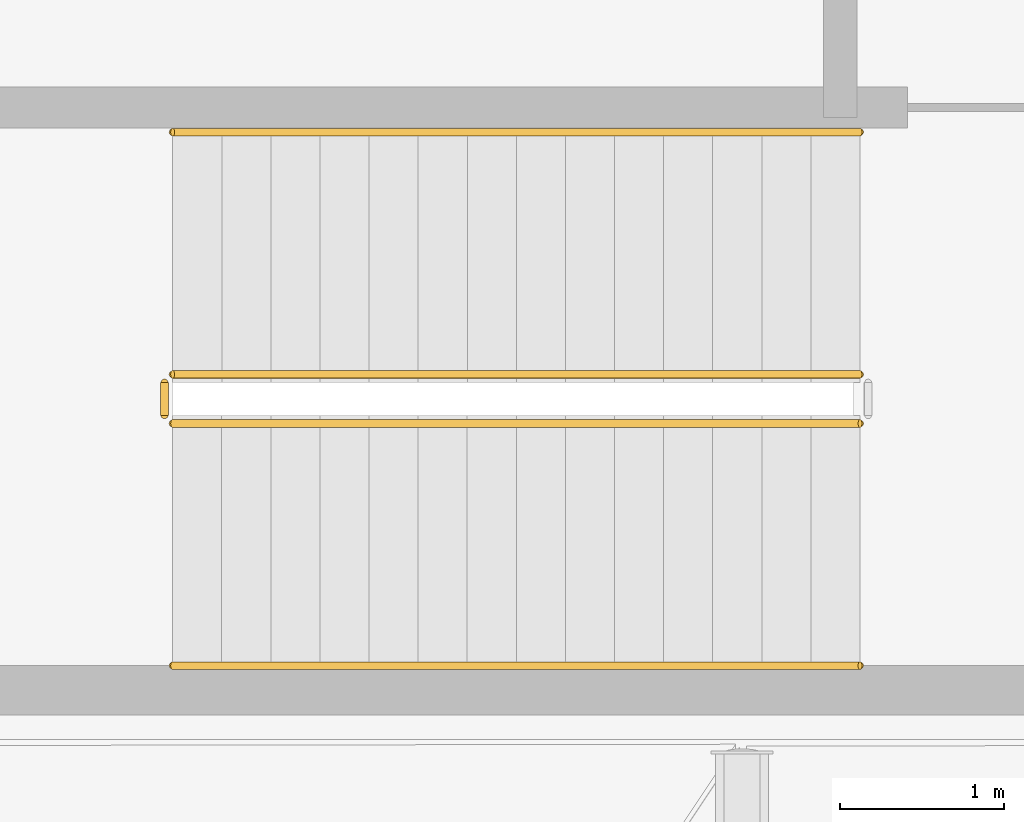
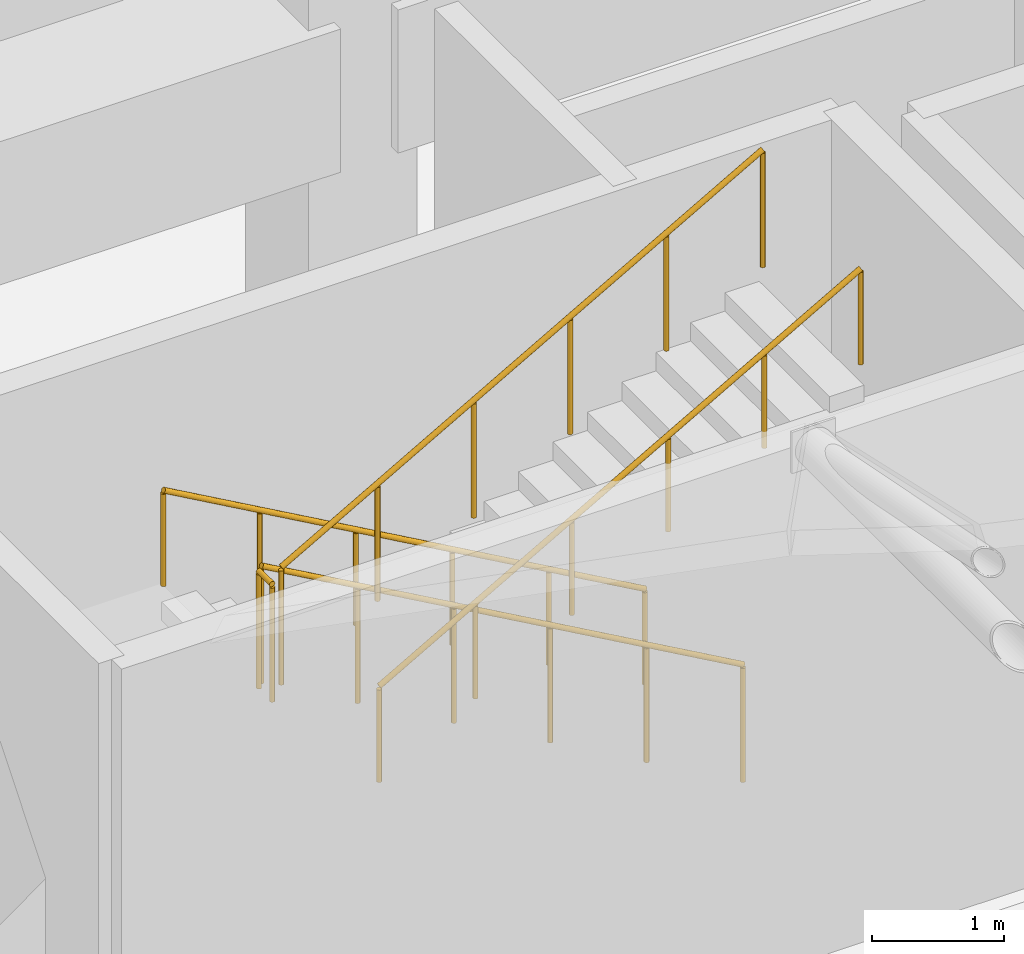
# One storey, part 108 of 117: 5 railings.
"""IFC4 building model written with IfcOpenShell, lengths in metres."""

from ifc_helpers import new_model, si_unit, direction, frame, origin, origin_2d, place, context, subcontext, project, spatial, circle, extrude, material, layer, layer_set, type_object, element, save


model = new_model("IFC4")

# Units and contexts
model_context = context("Model", 3, precision=1e-05, world=origin(), true_north=direction((0.0, 1.0)))
body_context = subcontext(model_context, "Body", "Model", "MODEL_VIEW")
ifc_project = project(units=[si_unit("LENGTHUNIT", "METRE"), si_unit("AREAUNIT", "SQUARE_METRE"), si_unit("VOLUMEUNIT", "CUBIC_METRE"), si_unit("PLANEANGLEUNIT", "RADIAN"), si_unit("MASSUNIT", "GRAM", prefix="KILO")], contexts=[model_context])

# Site, building, storey
site_placement = place(None, origin())
site = spatial("IfcSite", under=ifc_project, at=site_placement, CompositionType="ELEMENT")
building_placement = place(site_placement, origin())
building = spatial("IfcBuilding", under=site, at=building_placement, Name="Carrowvane Square Congress Hotel", CompositionType="ELEMENT")
storey_placement = place(building_placement, frame((0.0, 0.0, 5.39990234375)))
storey = spatial("IfcBuildingStorey", under=building, at=storey_placement, Name="L01", CompositionType="ELEMENT", Elevation=5.39990234375)

# Railings
ifc_material_1 = material(Name="Stainless steel 316", Category="steel")
ifc_layer_1 = layer(ifc_material_1, 0.048095703125)
ifc_layer_set_1 = layer_set([ifc_layer_1], Name="Stainless steel 316")
railing_type_1 = type_object("IfcRailingType", Name="RLG-HR-900", PredefinedType="HANDRAIL", material=ifc_layer_set_1)
railing_1_placement = place(storey_placement, frame((77.1201171875, 95.510009765625, 0.170166015625)))
element("IfcRailing", 1, at=railing_1_placement, inside=storey, type_object=railing_type_1, Name="L01 ST2 stair handrail 1", PredefinedType="HANDRAIL", context=body_context, shape_type="SweptSolid", body=[
    extrude(circle(Radius=0.02392578125, at=origin_2d()), frame((0.0, 0.0, 0.8759765625), z_axis=(-0.870042430969, 0.0, 0.492976843588), x_axis=(0.0, -1.0, 0.0)), (0.0, 0.0, 1.0), 4.82763671875),
    extrude(circle(Radius=0.02099609375, at=origin_2d()), origin(), (0.0, 0.0, 1.0), 0.851806640625),
    extrude(circle(Radius=0.02099609375, at=origin_2d()), frame((-0.840087890625, 0.0, 0.47607421875)), (0.0, 0.0, 1.0), 0.851806640625),
    extrude(circle(Radius=0.02099609375, at=origin_2d()), frame((-1.68017578125, 0.0, 0.951904296875)), (0.0, 0.0, 1.0), 0.851806640625),
    extrude(circle(Radius=0.02099609375, at=origin_2d()), frame((-2.52001953125, 0.0, 1.427978515625)), (0.0, 0.0, 1.0), 0.851806640625),
    extrude(circle(Radius=0.02099609375, at=origin_2d()), frame((-3.360107421875, 0.0, 1.90380859375)), (0.0, 0.0, 1.0), 0.851806640625),
    extrude(circle(Radius=0.02099609375, at=origin_2d()), frame((-4.2001953125, 0.0, 2.3798828125)), (0.0, 0.0, 1.0), 0.851806640625),
])
railing_2_placement = place(storey_placement, frame((72.919921875, 92.25, 2.72021484375)))
element("IfcRailing", 2, at=railing_2_placement, inside=storey, type_object=railing_type_1, Name="L01 ST2 stair handrail 2", PredefinedType="HANDRAIL", context=body_context, shape_type="SweptSolid", body=[
    extrude(circle(Radius=0.02392578125, at=origin_2d()), frame((0.0, 0.0, 0.8759765625), z_axis=(0.870042430969, 0.0, 0.492976843588), x_axis=(0.0, 1.0, 0.0)), (0.0, 0.0, 1.0), 4.82763671875),
    extrude(circle(Radius=0.02099609375, at=origin_2d()), origin(), (0.0, 0.0, 1.0), 0.851806640625),
    extrude(circle(Radius=0.02099609375, at=origin_2d()), frame((0.840087890625, 0.0, 0.47607421875)), (0.0, 0.0, 1.0), 0.851806640625),
    extrude(circle(Radius=0.02099609375, at=origin_2d()), frame((1.68017578125, 0.0, 0.951904296875)), (0.0, 0.0, 1.0), 0.851806640625),
    extrude(circle(Radius=0.02099609375, at=origin_2d()), frame((2.52001953125, 0.0, 1.427978515625)), (0.0, 0.0, 1.0), 0.851806640625),
    extrude(circle(Radius=0.02099609375, at=origin_2d()), frame((3.360107421875, 0.0, 1.90380859375)), (0.0, 0.0, 1.0), 0.851806640625),
    extrude(circle(Radius=0.02099609375, at=origin_2d()), frame((4.2001953125, 0.0, 2.3798828125)), (0.0, 0.0, 1.0), 0.851806640625),
])
ifc_material_2 = material(Name="Galvanised steel", Category="steel")
ifc_layer_2 = layer(ifc_material_2, 0.048095703125)
ifc_layer_set_2 = layer_set([ifc_layer_2], Name="Galvanised steel")
railing_type_2 = type_object("IfcRailingType", Name="RLG-STG-1100", PredefinedType="GUARDRAIL", material=ifc_layer_set_2)
railing_3_placement = place(storey_placement, frame((77.1201171875, 94.030029296875, 0.170166015625)))
element("IfcRailing", 3, at=railing_3_placement, inside=storey, type_object=railing_type_2, Name="L01 ST2 stair guard 1", PredefinedType="GUARDRAIL", context=body_context, shape_type="SweptSolid", body=[
    extrude(circle(Radius=0.02392578125, at=origin_2d()), frame((0.0, 0.0, 1.076171875), z_axis=(-0.870042430969, 0.0, 0.492976843588), x_axis=(0.0, -1.0, 0.0)), (0.0, 0.0, 1.0), 4.82763671875),
    extrude(circle(Radius=0.02099609375, at=origin_2d()), origin(), (0.0, 0.0, 1.0), 1.052001953125),
    extrude(circle(Radius=0.02099609375, at=origin_2d()), frame((-0.840087890625, 0.0, 0.47607421875)), (0.0, 0.0, 1.0), 1.052001953125),
    extrude(circle(Radius=0.02099609375, at=origin_2d()), frame((-1.68017578125, 0.0, 0.951904296875)), (0.0, 0.0, 1.0), 1.052001953125),
    extrude(circle(Radius=0.02099609375, at=origin_2d()), frame((-2.52001953125, 0.0, 1.427978515625)), (0.0, 0.0, 1.0), 1.052001953125),
    extrude(circle(Radius=0.02099609375, at=origin_2d()), frame((-3.360107421875, 0.0, 1.90380859375)), (0.0, 0.0, 1.0), 1.052001953125),
    extrude(circle(Radius=0.02099609375, at=origin_2d()), frame((-4.2001953125, 0.0, 2.3798828125)), (0.0, 0.0, 1.0), 1.052001953125),
])
railing_4_placement = place(storey_placement, frame((72.8701171875, 93.97998046875, 2.550048828125)))
element("IfcRailing", 4, at=railing_4_placement, inside=storey, type_object=railing_type_2, Name="L01 ST2 stair guard 2", PredefinedType="GUARDRAIL", context=body_context, shape_type="SweptSolid", body=[
    extrude(circle(Radius=0.02392578125, at=origin_2d()), frame((0.0, 0.0, 1.076171875), z_axis=(0.0, -1.0, 0.0), x_axis=(1.0, 0.0, 0.0)), (0.0, 0.0, 1.0), 0.199951171875),
    extrude(circle(Radius=0.02099609375, at=origin_2d()), origin(), (0.0, 0.0, 1.0), 1.052001953125),
    extrude(circle(Radius=0.02099609375, at=origin_2d()), frame((0.0, -0.199951171875, 0.0)), (0.0, 0.0, 1.0), 1.052001953125),
])
railing_5_placement = place(storey_placement, frame((72.919921875, 93.72998046875, 2.72021484375)))
element("IfcRailing", 5, at=railing_5_placement, inside=storey, type_object=railing_type_2, Name="L01 ST2 stair guard 3", PredefinedType="GUARDRAIL", context=body_context, shape_type="SweptSolid", body=[
    extrude(circle(Radius=0.02392578125, at=origin_2d()), frame((0.0, 0.0, 1.076171875), z_axis=(0.870042430969, 0.0, 0.492976843588), x_axis=(0.0, 1.0, 0.0)), (0.0, 0.0, 1.0), 4.82763671875),
    extrude(circle(Radius=0.02099609375, at=origin_2d()), origin(), (0.0, 0.0, 1.0), 1.052001953125),
    extrude(circle(Radius=0.02099609375, at=origin_2d()), frame((0.840087890625, 0.0, 0.47607421875)), (0.0, 0.0, 1.0), 1.052001953125),
    extrude(circle(Radius=0.02099609375, at=origin_2d()), frame((1.68017578125, 0.0, 0.951904296875)), (0.0, 0.0, 1.0), 1.052001953125),
    extrude(circle(Radius=0.02099609375, at=origin_2d()), frame((2.52001953125, 0.0, 1.427978515625)), (0.0, 0.0, 1.0), 1.052001953125),
    extrude(circle(Radius=0.02099609375, at=origin_2d()), frame((3.360107421875, 0.0, 1.90380859375)), (0.0, 0.0, 1.0), 1.052001953125),
    extrude(circle(Radius=0.02099609375, at=origin_2d()), frame((4.2001953125, 0.0, 2.3798828125)), (0.0, 0.0, 1.0), 1.052001953125),
])

save(model, "model.ifc")
